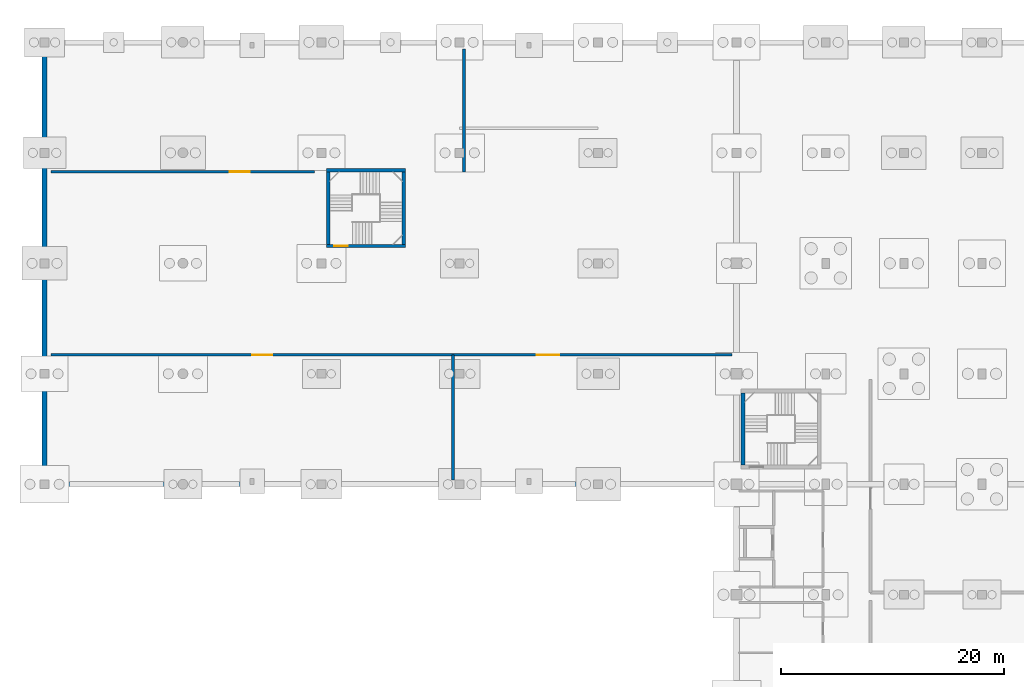
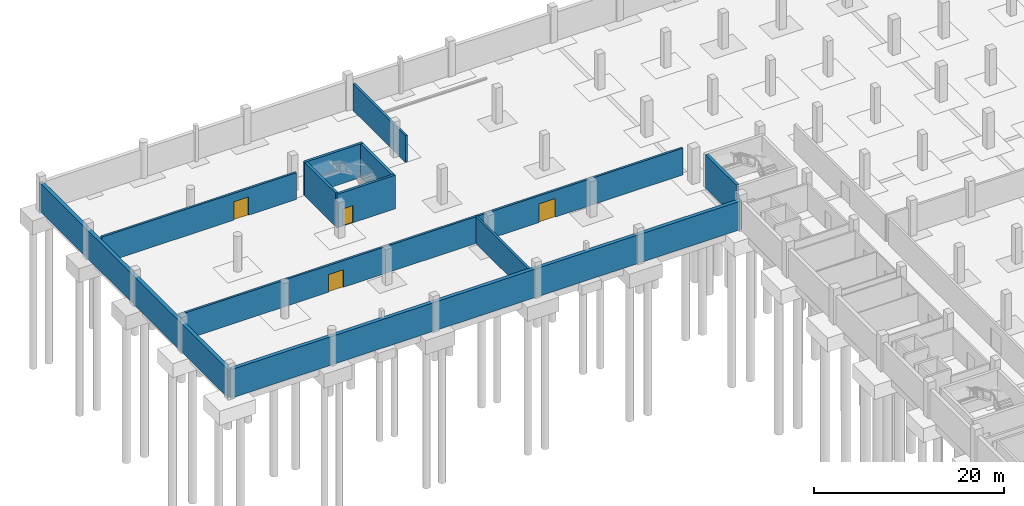
# One storey, part 15 of 30: 12 walls, 4 doors, 4 openings.
"""IFC4 building model written with IfcOpenShell, lengths in metres."""

import ifcopenshell
import ifcopenshell.guid

model = None  # the IFC model being written
_history = None  # IfcOwnerHistory: only IFC2X3 demands one
_inside = {}  # id of a spatial element -> (the spatial element, [elements in it])
_under = {}  # id of a project, library or spatial element -> (it, [spatial elements below it])
_declared = {}  # id of a project -> (the project, [libraries it declares])
_typed = {}  # id of a type object -> (the type object, [elements of that type])
_made_of = {}  # id of a material, layer set ... -> (it, [elements and type objects made of it])


def new_model(schema):
    """Start an empty IFC model of exactly this schema.

    Asked for "IFC4X3", IfcOpenShell would pick the latest addendum, in which some entities
    have other attributes; the version numbers below select the first issue.
    IFC2X3 requires an IfcOwnerHistory on every rooted entity: one is made here for all.
    """
    global model, _history
    if schema == "IFC4X3":
        model = ifcopenshell.file(schema_version=(4, 3, 0, 0))
    else:
        model = ifcopenshell.file(schema=schema)
    _inside.clear()
    _under.clear()
    _declared.clear()
    _typed.clear()
    _made_of.clear()
    _history = None
    if model.schema == "IFC2X3":
        org = make("IfcOrganization", Name="unknown")
        user = make(
            "IfcPersonAndOrganization",
            ThePerson=make("IfcPerson", FamilyName="unknown"),
            TheOrganization=org,
        )
        app = make(
            "IfcApplication",
            ApplicationDeveloper=org,
            Version="unknown",
            ApplicationFullName="unknown",
            ApplicationIdentifier="unknown",
        )
        _history = make(
            "IfcOwnerHistory",
            OwningUser=user,
            OwningApplication=app,
            ChangeAction="ADDED",
            CreationDate=0,
        )
    return model


def make(cls, **values):
    """One entity of the class cls with the attributes given. An attribute that is None is left unset."""
    return model.create_entity(
        cls, **{name: value for name, value in values.items() if value is not None}
    )


def rooted(cls, **values):
    """An entity with a GlobalId (a new one), such as an element, a storey or a relation."""
    return make(cls, GlobalId=ifcopenshell.guid.new(), OwnerHistory=_history, **values)


def si_unit(unit_type, name, prefix=None):
    """IfcSIUnit, for example si_unit("LENGTHUNIT", "METRE", prefix="MILLI")."""
    return make("IfcSIUnit", UnitType=unit_type, Prefix=prefix, Name=name)


def assignment(units):
    """IfcUnitAssignment: the units of a project."""
    return None if units is None else make("IfcUnitAssignment", Units=units)


def point(xyz):
    """IfcCartesianPoint."""
    return None if xyz is None else make("IfcCartesianPoint", Coordinates=xyz)


def direction(xyz):
    """IfcDirection."""
    return None if xyz is None else make("IfcDirection", DirectionRatios=xyz)


def frame(location, z_axis=None, x_axis=None):
    """IfcAxis2Placement3D, a coordinate frame: its origin and axes. An axis left out is left unset."""
    return make(
        "IfcAxis2Placement3D",
        Location=point(location),
        Axis=direction(z_axis),
        RefDirection=direction(x_axis),
    )


def frame_2d(location, x_axis=None):
    """IfcAxis2Placement2D, a coordinate frame in the plane: its origin and x axis."""
    return make(
        "IfcAxis2Placement2D", Location=point(location), RefDirection=direction(x_axis)
    )


def origin():
    """The frame at (0, 0, 0) with its axes left unset."""
    return frame((0.0, 0.0, 0.0))


def place(relative_to, where):
    """IfcLocalPlacement: puts the frame where relative to a parent placement (None: the world)."""
    return make(
        "IfcLocalPlacement", PlacementRelTo=relative_to, RelativePlacement=where
    )


def context(
    kind, dimensions, precision=None, world=None, true_north=None, identifier=None
):
    """IfcGeometricRepresentationContext, for example the 3D "Model" context."""
    return make(
        "IfcGeometricRepresentationContext",
        ContextIdentifier=identifier,
        ContextType=kind,
        CoordinateSpaceDimension=dimensions,
        Precision=precision,
        WorldCoordinateSystem=world,
        TrueNorth=true_north,
    )


def subcontext(parent, identifier, kind, view, scale=None):
    """IfcGeometricRepresentationSubContext, for example "Body" below "Model"."""
    return make(
        "IfcGeometricRepresentationSubContext",
        ContextIdentifier=identifier,
        ContextType=kind,
        ParentContext=parent,
        TargetScale=scale,
        TargetView=view,
    )


def project(units=None, contexts=None):
    """IfcProject with its units and contexts."""
    return rooted(
        "IfcProject",
        Name="project",
        RepresentationContexts=contexts,
        UnitsInContext=assignment(units),
    )


def spatial(cls, under=None, at=None, **own):
    """A site, building, storey or space (cls), placed at a placement, below another one or the project."""
    s = rooted(cls, ObjectPlacement=at, **own)
    if under is not None:
        _under.setdefault(under.id(), (under, []))[1].append(s)
    return s


def profile(cls, at=None, kind="AREA", **sizes):
    """A parametric profile (cls). Its sizes go by their IFC names, for example OverallWidth=200.0."""
    return make(cls, ProfileType=kind, Position=at, **sizes)


def rectangle(**sizes):
    """IfcRectangleProfileDef."""
    return profile("IfcRectangleProfileDef", **sizes)


def extrude(swept, where, along, depth):
    """IfcExtrudedAreaSolid: the profile swept, set in the frame where, extruded along a direction by depth."""
    return make(
        "IfcExtrudedAreaSolid",
        SweptArea=swept,
        Position=where,
        ExtrudedDirection=direction(along),
        Depth=depth,
    )


def shape(context_of_items, identifier, shape_type, items):
    """IfcShapeRepresentation: the items that make up one representation, for example the "Body"."""
    return make(
        "IfcShapeRepresentation",
        ContextOfItems=context_of_items,
        RepresentationIdentifier=identifier,
        RepresentationType=shape_type,
        Items=items,
    )


def material(Name=None, Category=None):
    """IfcMaterial."""
    return make("IfcMaterial", Name=Name, Category=Category)


def layer(
    of_material, thickness, ventilated=None, Name=None, Category=None, Priority=None
):
    """IfcMaterialLayer: one layer of a wall or slab, of a material (None: an air gap)."""
    return make(
        "IfcMaterialLayer",
        Material=of_material,
        LayerThickness=thickness,
        IsVentilated=ventilated,
        Name=Name,
        Category=Category,
        Priority=Priority,
    )


def layer_set(layers, Name=None):
    """IfcMaterialLayerSet."""
    return make("IfcMaterialLayerSet", MaterialLayers=layers, LayerSetName=Name)


def made_of(thing, what):
    """Note that an element or type object is made of a material, layer set ...; save() writes the relation."""
    if what is not None:
        _made_of.setdefault(what.id(), (what, []))[1].append(thing)
    return thing


def type_object(cls, material=None, **own):
    """A type object (cls), such as IfcWallType, which elements share."""
    return made_of(rooted(cls, **own), material)


def element(
    cls,
    number,
    at=None,
    inside=None,
    cuts=None,
    type_object=None,
    material=None,
    context=None,
    identifier="Body",
    shape_type=None,
    held_by="IfcProductDefinitionShape",
    body=None,
    shapes=None,
    **own,
):
    """One element of the class cls, such as IfcWall. Its Tag is "e" and its number.

    at: its placement. inside: the storey or other place that contains it. cuts: it is an
    opening in that element (IfcRelVoidsElement). A single representation is given by context,
    identifier, shape_type and body (its items); several are given by shapes. held_by: the class
    of the entity that holds the representations. save() writes the other relations.
    """
    e = rooted(cls, Tag="e%d" % number, ObjectPlacement=at, **own)
    if body is not None:
        shapes = [shape(context, identifier, shape_type, body)]
    if shapes is not None:
        e.Representation = make(held_by, Representations=shapes)
    if inside is not None:
        _inside.setdefault(inside.id(), (inside, []))[1].append(e)
    if cuts is not None:
        rooted(
            "IfcRelVoidsElement", RelatingBuildingElement=cuts, RelatedOpeningElement=e
        )
    if type_object is not None:
        _typed.setdefault(type_object.id(), (type_object, []))[1].append(e)
    return made_of(e, material)


def fill(opening, filler):
    """IfcRelFillsElement: the door or window that sits in an opening."""
    return rooted(
        "IfcRelFillsElement",
        RelatingOpeningElement=opening,
        RelatedBuildingElement=filler,
    )


def aggregate(whole, parts):
    """IfcRelAggregates: a whole, such as a stair, and the parts it consists of."""
    return rooted("IfcRelAggregates", RelatingObject=whole, RelatedObjects=parts)


def save(model, path):
    """Write the relations noted so far, then the file.

    IfcRelAggregates (storeys below a building ...), IfcRelContainedInSpatialStructure (elements
    in a storey), IfcRelDefinesByType, IfcRelAssociatesMaterial and IfcRelDeclares: one each for
    every whole, place, type object, material and project.
    """
    for whole, parts in _under.values():
        aggregate(whole, parts)
    for where, things in _inside.values():
        rooted(
            "IfcRelContainedInSpatialStructure",
            RelatedElements=things,
            RelatingStructure=where,
        )
    for kind, things in _typed.values():
        rooted("IfcRelDefinesByType", RelatedObjects=things, RelatingType=kind)
    for what, things in _made_of.values():
        rooted("IfcRelAssociatesMaterial", RelatedObjects=things, RelatingMaterial=what)
    for by, libraries in _declared.values():
        rooted("IfcRelDeclares", RelatingContext=by, RelatedDefinitions=libraries)
    model.write(path)


model = new_model("IFC4")

# Units and contexts
model_context = context("Model", 3, precision=1e-05, world=origin(), true_north=direction((0.0, 1.0)))
body_context = subcontext(model_context, "Body", "Model", "MODEL_VIEW")
ifc_project = project(units=[si_unit("LENGTHUNIT", "METRE"), si_unit("AREAUNIT", "SQUARE_METRE"), si_unit("VOLUMEUNIT", "CUBIC_METRE"), si_unit("PLANEANGLEUNIT", "RADIAN"), si_unit("MASSUNIT", "GRAM", prefix="KILO")], contexts=[model_context])

# Site, building, storey
site_placement = place(None, origin())
site = spatial("IfcSite", under=ifc_project, at=site_placement, CompositionType="ELEMENT")
building_placement = place(site_placement, origin())
building = spatial("IfcBuilding", under=site, at=building_placement, Name="Sillaruma Civic Art Gallery", CompositionType="ELEMENT")
storey_placement = place(building_placement, frame((0.0, 0.0, -9.179931640625)))
storey = spatial("IfcBuildingStorey", under=building, at=storey_placement, Name="B02", CompositionType="ELEMENT", Elevation=-9.179931640625)

# Wall, opening, door
ifc_material_1 = material(Name="Concrete H40 (40 MPa)", Category="concrete")
ifc_layer_1 = layer(ifc_material_1, 0.300048828125, Name="Concrete H40 (40 MPa)")
ifc_layer_set_1 = layer_set([ifc_layer_1], Name="Concrete H40 (40 MPa)")
wall_type_1 = type_object("IfcWallType", Name="WAL-CORE-300", PredefinedType="SHEAR", material=ifc_layer_set_1)
wall_1_placement = place(storey_placement, frame((25.260009765625, 100.550048828125, 0.0), z_axis=(0.0, 0.0, 1.0), x_axis=(1.0, 0.0, 0.0)))
wall_1 = element("IfcWall", 1, at=wall_1_placement, inside=storey, type_object=wall_type_1, Name="Stair Core Shear Wall W-CORE-300 (ST-01:B02:S)", PredefinedType="SHEAR", context=body_context, shape_type="SweptSolid", body=[
    extrude(rectangle(XDim=7.080078125, YDim=0.300048828125, at=frame_2d((3.5400390625, 0.0))), origin(), (0.0, 0.0, 1.0), 4.309814453125),
])
opening_1_placement = place(wall_1_placement, frame((0.719970703125, 0.0, 0.0)))
opening_1 = element("IfcOpeningElement", 2, at=opening_1_placement, cuts=wall_1, Name="Opening D-STAIR", PredefinedType="OPENING", context=body_context, shape_type="SweptSolid", body=[
    extrude(rectangle(XDim=1.199951171875, YDim=2.199951171875, at=frame_2d((0.60009765625, 1.10009765625))), frame((0.0, 0.159912109375, 0.0), z_axis=(0.0, -1.0, 0.0), x_axis=(1.0, 0.0, 0.0)), (0.0, 0.0, 1.0), 0.320068359375),
])
ifc_material_2 = material(Name="Galvanised Steel ASTM A653 Gr.50", Category="steel")
door_type_1 = type_object("IfcDoorType", Name="DOR-STAIR-120", OperationType="NOTDEFINED", PredefinedType="DOOR", material=ifc_material_2)
door_1_placement = place(opening_1_placement, origin())
door_1 = element("IfcDoor", 3, at=door_1_placement, inside=storey, type_object=door_type_1, Name="Protected Stair Fire Door (ST-01:B02)", OperationType="SINGLE_SWING_RIGHT", OverallHeight=2.199951171875, OverallWidth=1.199951171875, PredefinedType="DOOR", context=body_context, shape_type="SweptSolid", body=[
    extrude(rectangle(XDim=1.199951171875, YDim=2.199951171875, at=frame_2d((0.60009765625, 1.10009765625))), frame((0.0, 0.02490234375, 0.0), z_axis=(0.0, -1.0, 0.0), x_axis=(1.0, 0.0, 0.0)), (0.0, 0.0, 1.0), 0.050048828125),
])
fill(opening_1, door_1)

# Walls
wall_2_placement = place(storey_placement, frame((25.260009765625, 107.330078125, 0.0), z_axis=(0.0, 0.0, 1.0), x_axis=(1.0, 0.0, 0.0)))
element("IfcWall", 4, at=wall_2_placement, inside=storey, type_object=wall_type_1, Name="Stair Core Shear Wall W-CORE-300 (ST-01:B02:N)", PredefinedType="SHEAR", context=body_context, shape_type="SweptSolid", body=[
    extrude(rectangle(XDim=7.080078125, YDim=0.300048828125, at=frame_2d((3.5400390625, 0.0))), origin(), (0.0, 0.0, 1.0), 4.309814453125),
])
for number, where, z_axis, x_axis, name in (
    (5, (25.409912109375, 100.699951171875, 0.0), (0.0, 0.0, 1.0), (0.0, 1.0, 0.0), "Stair Core Shear Wall W-CORE-300 (ST-01:B02:W)"),
    (6, (32.18994140625, 100.699951171875, 0.0), (0.0, 0.0, 1.0), (0.0, 1.0, 0.0), "Stair Core Shear Wall W-CORE-300 (ST-01:B02:E)"),
):
    element("IfcWall", number, at=place(storey_placement, frame(where, z_axis=z_axis, x_axis=x_axis)), inside=storey, type_object=wall_type_1, Name=name, PredefinedType="SHEAR", context=body_context, shape_type="SweptSolid", body=[
        extrude(rectangle(XDim=6.47998046875, YDim=0.300048828125, at=frame_2d((3.239990234375, 0.0))), origin(), (0.0, 0.0, 1.0), 4.309814453125),
    ])
ifc_layer_2 = layer(ifc_material_1, 0.35009765625, Name="Concrete H40 (40 MPa)")
ifc_layer_set_2 = layer_set([ifc_layer_2], Name="Concrete H40 (40 MPa)")
wall_type_2 = type_object("IfcWallType", Name="WAL-CORE-350", PredefinedType="SHEAR", material=ifc_layer_set_2)
wall_3_placement = place(storey_placement, frame((62.5849609375, 80.909912109375, 0.0), z_axis=(0.0, 0.0, 1.0), x_axis=(0.0, 1.0, 0.0)))
element("IfcWall", 7, at=wall_3_placement, inside=storey, type_object=wall_type_2, Name="Stair Core Shear Wall W-CORE-350 (ST-02:B02:W)", PredefinedType="SHEAR", context=body_context, shape_type="SweptSolid", body=[
    extrude(rectangle(XDim=6.47998046875, YDim=0.35009765625, at=frame_2d((3.239990234375, 0.0))), origin(), (0.0, 0.0, 1.0), 4.309814453125),
])
ifc_layer_3 = layer(ifc_material_1, 0.43994140625, Name="Concrete H40 (40 MPa)")
ifc_layer_set_3 = layer_set([ifc_layer_3], Name="Concrete H40 (40 MPa)")
wall_type_3 = type_object("IfcWallType", Name="WAL-RET-440", PredefinedType="USERDEFINED", material=ifc_layer_set_3)
wall_4_placement = place(storey_placement, frame((0.0, 118.800048828125, 0.0), z_axis=(0.0, 0.0, 1.0), x_axis=(0.0, -1.0, 0.0)))
element("IfcWall", 8, at=wall_4_placement, inside=storey, type_object=wall_type_3, Name="Exterior Wall W-RET-440 (RET-B02-06)", ObjectType="RETAININGWALL", PredefinedType="USERDEFINED", context=body_context, shape_type="SweptSolid", body=[
    extrude(rectangle(XDim=39.60009765625, YDim=0.43994140625, at=frame_2d((19.800048828125, 0.0))), origin(), (0.0, 0.0, 1.0), 3.659912109375),
])
wall_5_placement = place(storey_placement, frame((0.0, 79.199951171875, 0.0), z_axis=(0.0, 0.0, 1.0), x_axis=(1.0, 0.0, 0.0)))
element("IfcWall", 9, at=wall_5_placement, inside=storey, type_object=wall_type_3, Name="Exterior Wall W-RET-440 (RET-B02-07)", ObjectType="RETAININGWALL", PredefinedType="USERDEFINED", context=body_context, shape_type="SweptSolid", body=[
    extrude(rectangle(XDim=62.0, YDim=0.43994140625, at=frame_2d((31.0, 0.0))), origin(), (0.0, 0.0, 1.0), 3.659912109375),
])

# Wall, opening, door
ifc_material_3 = material(Name="Concrete Masonry Unit Grade M15", Category="masonry")
ifc_layer_4 = layer(ifc_material_3, 0.2548828125, Name="Concrete Masonry Unit Grade M15")
ifc_layer_set_4 = layer_set([ifc_layer_4], Name="Concrete Masonry Unit Grade M15")
wall_type_4 = type_object("IfcWallType", Name="WAL-STORE-250", PredefinedType="SOLIDWALL", material=ifc_layer_set_4)
wall_6_placement = place(storey_placement, frame((0.60009765625, 90.800048828125, 0.0), z_axis=(0.0, 0.0, 1.0), x_axis=(1.0, 0.0, 0.0)))
wall_6 = element("IfcWall", 10, at=wall_6_placement, inside=storey, type_object=wall_type_4, Name="Interior Wall W-STORE-250 (B02-PLTW)", PredefinedType="SOLIDWALL", context=body_context, shape_type="SweptSolid", body=[
    extrude(rectangle(XDim=36.0, YDim=0.2548828125, at=frame_2d((18.0, 0.0))), origin(), (0.0, 0.0, 1.0), 3.429931640625),
])
opening_2_placement = place(wall_6_placement, frame((18.0, 0.0, 0.0)))
opening_2 = element("IfcOpeningElement", 11, at=opening_2_placement, cuts=wall_6, Name="Opening D-PLANT", PredefinedType="OPENING", context=body_context, shape_type="SweptSolid", body=[
    extrude(rectangle(XDim=1.800048828125, YDim=2.25, at=frame_2d((0.89990234375, 1.125))), frame((0.0, 0.137451171875, 0.0), z_axis=(0.0, -1.0, 0.0), x_axis=(1.0, 0.0, 0.0)), (0.0, 0.0, 1.0), 0.27490234375),
])
door_type_2 = type_object("IfcDoorType", Name="DOR-PLANT-180", OperationType="NOTDEFINED", PredefinedType="DOOR", material=ifc_material_2)
door_2_placement = place(opening_2_placement, origin())
door_2 = element("IfcDoor", 12, at=door_2_placement, inside=storey, type_object=door_type_2, Name="Chiller and Fire Pump Plant Room Door (D-PLANT)", OperationType="DOUBLE_DOOR_SINGLE_SWING", OverallHeight=2.25, OverallWidth=1.800048828125, PredefinedType="DOOR", context=body_context, shape_type="SweptSolid", body=[
    extrude(rectangle(XDim=1.800048828125, YDim=2.25, at=frame_2d((0.89990234375, 1.125))), frame((0.0, 0.02490234375, 0.0), z_axis=(0.0, -1.0, 0.0), x_axis=(1.0, 0.0, 0.0)), (0.0, 0.0, 1.0), 0.050048828125),
])
fill(opening_2, door_2)

# Wall
wall_7_placement = place(storey_placement, frame((36.60009765625, 79.60009765625, 0.0), z_axis=(0.0, 0.0, 1.0), x_axis=(0.0, 1.0, 0.0)))
element("IfcWall", 13, at=wall_7_placement, inside=storey, type_object=wall_type_4, Name="Interior Wall W-STORE-250 (B02-PLTW)", PredefinedType="SOLIDWALL", context=body_context, shape_type="SweptSolid", body=[
    extrude(rectangle(XDim=11.199951171875, YDim=0.2548828125, at=frame_2d((5.60009765625, 0.0))), origin(), (0.0, 0.0, 1.0), 3.429931640625),
])

# Wall, opening, door
wall_8_placement = place(storey_placement, frame((36.60009765625, 90.800048828125, 0.0), z_axis=(0.0, 0.0, 1.0), x_axis=(1.0, 0.0, 0.0)))
wall_8 = element("IfcWall", 14, at=wall_8_placement, inside=storey, type_object=wall_type_4, Name="Interior Wall W-STORE-250 (B02-STRW1)", PredefinedType="SOLIDWALL", context=body_context, shape_type="SweptSolid", body=[
    extrude(rectangle(XDim=25.0, YDim=0.2548828125, at=frame_2d((12.5, 0.0))), origin(), (0.0, 0.0, 1.0), 3.429931640625),
])
opening_3_placement = place(wall_8_placement, frame((7.5, 0.0, 0.0)))
opening_3 = element("IfcOpeningElement", 15, at=opening_3_placement, cuts=wall_8, Name="Opening D-STORE", PredefinedType="OPENING", context=body_context, shape_type="SweptSolid", body=[
    extrude(rectangle(XDim=2.0, YDim=2.39990234375, at=frame_2d((1.0, 1.199951171875))), frame((0.0, 0.137451171875, 0.0), z_axis=(0.0, -1.0, 0.0), x_axis=(1.0, 0.0, 0.0)), (0.0, 0.0, 1.0), 0.27490234375),
])
door_type_3 = type_object("IfcDoorType", Name="DOR-STORE-200", OperationType="NOTDEFINED", PredefinedType="DOOR", material=ifc_material_2)
door_3_placement = place(opening_3_placement, origin())
door_3 = element("IfcDoor", 16, at=door_3_placement, inside=storey, type_object=door_type_3, Name="Compact Rack Art Store West Door (D-STORE)", OperationType="DOUBLE_DOOR_SINGLE_SWING", OverallHeight=2.39990234375, OverallWidth=2.0, PredefinedType="DOOR", context=body_context, shape_type="SweptSolid", body=[
    extrude(rectangle(XDim=2.0, YDim=2.39990234375, at=frame_2d((1.0, 1.199951171875))), frame((0.0, 0.02490234375, 0.0), z_axis=(0.0, -1.0, 0.0), x_axis=(1.0, 0.0, 0.0)), (0.0, 0.0, 1.0), 0.050048828125),
])
fill(opening_3, door_3)

wall_9_placement = place(storey_placement, frame((0.60009765625, 107.199951171875, 0.0), z_axis=(0.0, 0.0, 1.0), x_axis=(1.0, 0.0, 0.0)))
wall_9 = element("IfcWall", 17, at=wall_9_placement, inside=storey, type_object=wall_type_4, Name="Interior Wall W-STORE-250 (B02-STRW2)", PredefinedType="SOLIDWALL", context=body_context, shape_type="SweptSolid", body=[
    extrude(rectangle(XDim=23.599853515625, YDim=0.2548828125, at=frame_2d((11.7998046875, 0.0))), origin(), (0.0, 0.0, 1.0), 3.429931640625),
])
opening_4_placement = place(wall_9_placement, frame((16.0, 0.0, 0.0)))
opening_4 = element("IfcOpeningElement", 18, at=opening_4_placement, cuts=wall_9, Name="Opening D-STR18", PredefinedType="OPENING", context=body_context, shape_type="SweptSolid", body=[
    extrude(rectangle(XDim=1.800048828125, YDim=2.35009765625, at=frame_2d((0.89990234375, 1.175048828125))), frame((0.0, 0.137451171875, 0.0), z_axis=(0.0, -1.0, 0.0), x_axis=(1.0, 0.0, 0.0)), (0.0, 0.0, 1.0), 0.27490234375),
])
door_type_4 = type_object("IfcDoorType", Name="DOR-STORE-180", OperationType="NOTDEFINED", PredefinedType="DOOR", material=ifc_material_2)
door_4_placement = place(opening_4_placement, origin())
door_4 = element("IfcDoor", 19, at=door_4_placement, inside=storey, type_object=door_type_4, Name="Painting Vault Art Store Door (D-STR18)", OperationType="DOUBLE_DOOR_SINGLE_SWING", OverallHeight=2.35009765625, OverallWidth=1.800048828125, PredefinedType="DOOR", context=body_context, shape_type="SweptSolid", body=[
    extrude(rectangle(XDim=1.800048828125, YDim=2.35009765625, at=frame_2d((0.89990234375, 1.175048828125))), frame((0.0, 0.02490234375, 0.0), z_axis=(0.0, -1.0, 0.0), x_axis=(1.0, 0.0, 0.0)), (0.0, 0.0, 1.0), 0.050048828125),
])
fill(opening_4, door_4)

# Wall
wall_10_placement = place(storey_placement, frame((37.60009765625, 107.199951171875, 0.0), z_axis=(0.0, 0.0, 1.0), x_axis=(0.0, 1.0, 0.0)))
element("IfcWall", 20, at=wall_10_placement, inside=storey, type_object=wall_type_4, Name="Interior Wall W-STORE-250 (B02-STRW2)", PredefinedType="SOLIDWALL", context=body_context, shape_type="SweptSolid", body=[
    extrude(rectangle(XDim=11.0, YDim=0.2548828125, at=frame_2d((5.5, 0.0))), origin(), (0.0, 0.0, 1.0), 3.429931640625),
])

save(model, "model.ifc")
